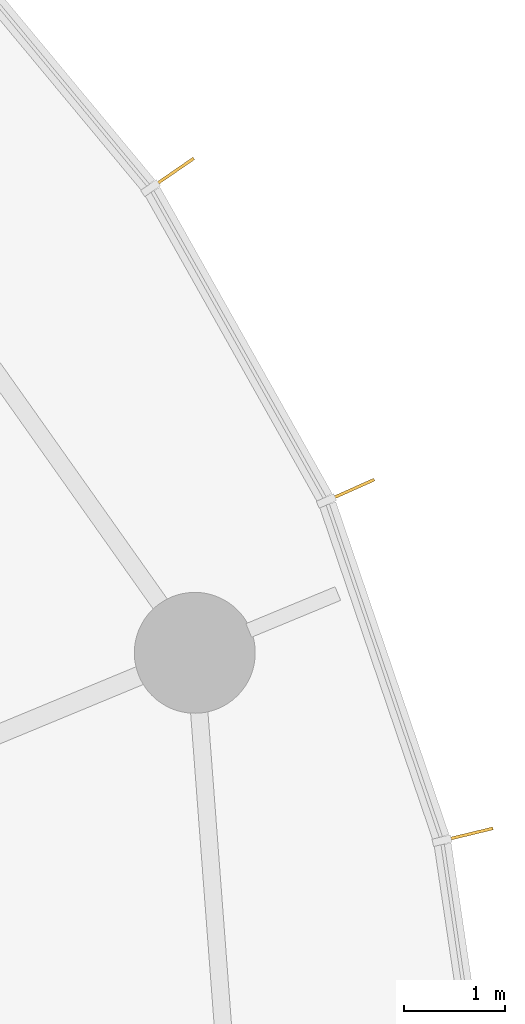
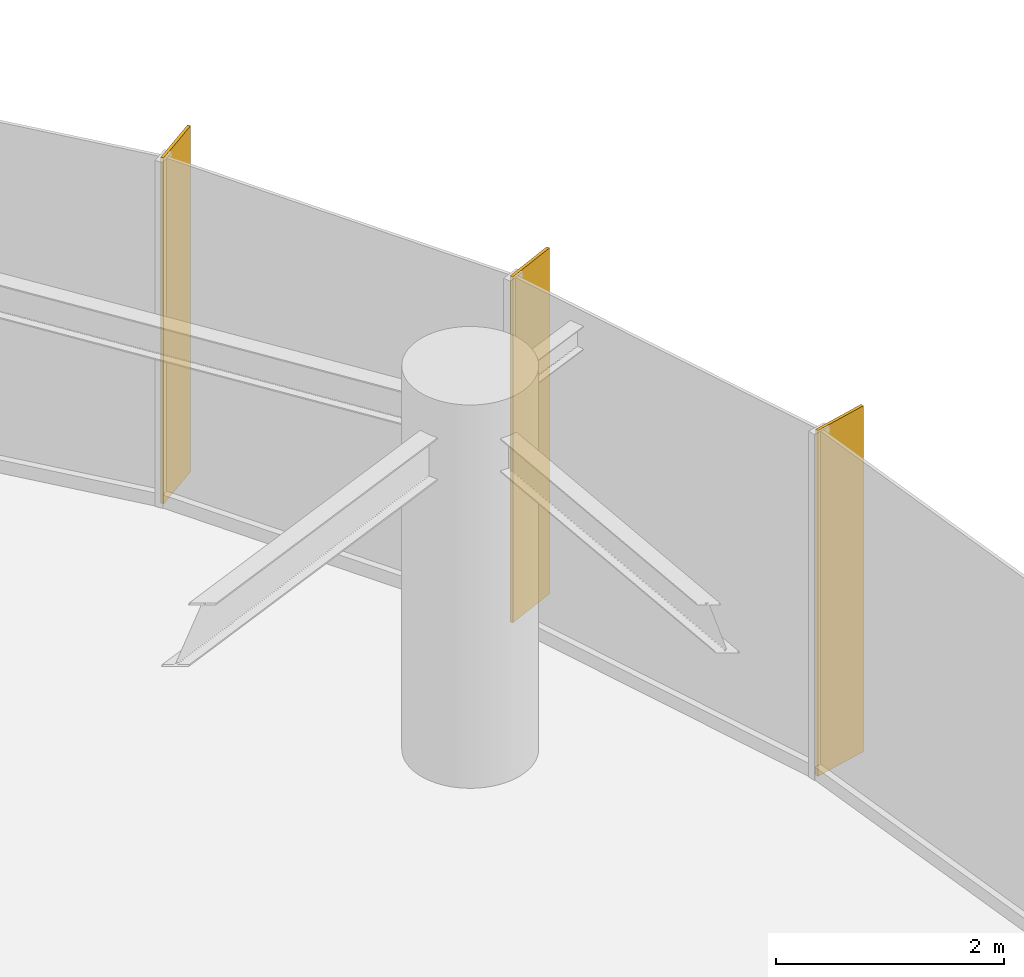
# One storey, part 17 of 17: 3 shading devices.
"""IFC4 building model written with IfcOpenShell, lengths in metres."""

import ifcopenshell
import ifcopenshell.guid

model = None  # the IFC model being written
_history = None  # IfcOwnerHistory: only IFC2X3 demands one
_inside = {}  # id of a spatial element -> (the spatial element, [elements in it])
_under = {}  # id of a project, library or spatial element -> (it, [spatial elements below it])
_declared = {}  # id of a project -> (the project, [libraries it declares])
_typed = {}  # id of a type object -> (the type object, [elements of that type])
_made_of = {}  # id of a material, layer set ... -> (it, [elements and type objects made of it])


def new_model(schema):
    """Start an empty IFC model of exactly this schema.

    Asked for "IFC4X3", IfcOpenShell would pick the latest addendum, in which some entities
    have other attributes; the version numbers below select the first issue.
    IFC2X3 requires an IfcOwnerHistory on every rooted entity: one is made here for all.
    """
    global model, _history
    if schema == "IFC4X3":
        model = ifcopenshell.file(schema_version=(4, 3, 0, 0))
    else:
        model = ifcopenshell.file(schema=schema)
    _inside.clear()
    _under.clear()
    _declared.clear()
    _typed.clear()
    _made_of.clear()
    _history = None
    if model.schema == "IFC2X3":
        org = make("IfcOrganization", Name="unknown")
        user = make(
            "IfcPersonAndOrganization",
            ThePerson=make("IfcPerson", FamilyName="unknown"),
            TheOrganization=org,
        )
        app = make(
            "IfcApplication",
            ApplicationDeveloper=org,
            Version="unknown",
            ApplicationFullName="unknown",
            ApplicationIdentifier="unknown",
        )
        _history = make(
            "IfcOwnerHistory",
            OwningUser=user,
            OwningApplication=app,
            ChangeAction="ADDED",
            CreationDate=0,
        )
    return model


def make(cls, **values):
    """One entity of the class cls with the attributes given. An attribute that is None is left unset."""
    return model.create_entity(
        cls, **{name: value for name, value in values.items() if value is not None}
    )


def rooted(cls, **values):
    """An entity with a GlobalId (a new one), such as an element, a storey or a relation."""
    return make(cls, GlobalId=ifcopenshell.guid.new(), OwnerHistory=_history, **values)


def si_unit(unit_type, name, prefix=None):
    """IfcSIUnit, for example si_unit("LENGTHUNIT", "METRE", prefix="MILLI")."""
    return make("IfcSIUnit", UnitType=unit_type, Prefix=prefix, Name=name)


def assignment(units):
    """IfcUnitAssignment: the units of a project."""
    return None if units is None else make("IfcUnitAssignment", Units=units)


def point(xyz):
    """IfcCartesianPoint."""
    return None if xyz is None else make("IfcCartesianPoint", Coordinates=xyz)


def direction(xyz):
    """IfcDirection."""
    return None if xyz is None else make("IfcDirection", DirectionRatios=xyz)


def frame(location, z_axis=None, x_axis=None):
    """IfcAxis2Placement3D, a coordinate frame: its origin and axes. An axis left out is left unset."""
    return make(
        "IfcAxis2Placement3D",
        Location=point(location),
        Axis=direction(z_axis),
        RefDirection=direction(x_axis),
    )


def frame_2d(location, x_axis=None):
    """IfcAxis2Placement2D, a coordinate frame in the plane: its origin and x axis."""
    return make(
        "IfcAxis2Placement2D", Location=point(location), RefDirection=direction(x_axis)
    )


def origin():
    """The frame at (0, 0, 0) with its axes left unset."""
    return frame((0.0, 0.0, 0.0))


def origin_2d():
    """The frame at (0, 0) in the plane with its x axis left unset."""
    return frame_2d((0.0, 0.0))


def place(relative_to, where):
    """IfcLocalPlacement: puts the frame where relative to a parent placement (None: the world)."""
    return make(
        "IfcLocalPlacement", PlacementRelTo=relative_to, RelativePlacement=where
    )


def context(
    kind, dimensions, precision=None, world=None, true_north=None, identifier=None
):
    """IfcGeometricRepresentationContext, for example the 3D "Model" context."""
    return make(
        "IfcGeometricRepresentationContext",
        ContextIdentifier=identifier,
        ContextType=kind,
        CoordinateSpaceDimension=dimensions,
        Precision=precision,
        WorldCoordinateSystem=world,
        TrueNorth=true_north,
    )


def subcontext(parent, identifier, kind, view, scale=None):
    """IfcGeometricRepresentationSubContext, for example "Body" below "Model"."""
    return make(
        "IfcGeometricRepresentationSubContext",
        ContextIdentifier=identifier,
        ContextType=kind,
        ParentContext=parent,
        TargetScale=scale,
        TargetView=view,
    )


def project(units=None, contexts=None):
    """IfcProject with its units and contexts."""
    return rooted(
        "IfcProject",
        Name="project",
        RepresentationContexts=contexts,
        UnitsInContext=assignment(units),
    )


def spatial(cls, under=None, at=None, **own):
    """A site, building, storey or space (cls), placed at a placement, below another one or the project."""
    s = rooted(cls, ObjectPlacement=at, **own)
    if under is not None:
        _under.setdefault(under.id(), (under, []))[1].append(s)
    return s


def profile(cls, at=None, kind="AREA", **sizes):
    """A parametric profile (cls). Its sizes go by their IFC names, for example OverallWidth=200.0."""
    return make(cls, ProfileType=kind, Position=at, **sizes)


def rectangle(**sizes):
    """IfcRectangleProfileDef."""
    return profile("IfcRectangleProfileDef", **sizes)


def extrude(swept, where, along, depth):
    """IfcExtrudedAreaSolid: the profile swept, set in the frame where, extruded along a direction by depth."""
    return make(
        "IfcExtrudedAreaSolid",
        SweptArea=swept,
        Position=where,
        ExtrudedDirection=direction(along),
        Depth=depth,
    )


def shape(context_of_items, identifier, shape_type, items):
    """IfcShapeRepresentation: the items that make up one representation, for example the "Body"."""
    return make(
        "IfcShapeRepresentation",
        ContextOfItems=context_of_items,
        RepresentationIdentifier=identifier,
        RepresentationType=shape_type,
        Items=items,
    )


def source(mapping_origin, context_of_items, identifier, shape_type, items):
    """IfcRepresentationMap: a shape defined once, which mapped items show again and again."""
    return make(
        "IfcRepresentationMap",
        MappingOrigin=mapping_origin,
        MappedRepresentation=shape(context_of_items, identifier, shape_type, items),
    )


def transform(
    local_origin,
    x_axis=None,
    y_axis=None,
    z_axis=None,
    scale=None,
    scale2=None,
    scale3=None,
    uniform=True,
):
    """IfcCartesianTransformationOperator3D, or its non-uniform kind. x_axis, y_axis, z_axis: its Axis1, 2, 3."""
    if uniform:
        return make(
            "IfcCartesianTransformationOperator3D",
            Axis1=direction(x_axis),
            Axis2=direction(y_axis),
            LocalOrigin=point(local_origin),
            Scale=scale,
            Axis3=direction(z_axis),
        )
    return make(
        "IfcCartesianTransformationOperator3DnonUniform",
        Axis1=direction(x_axis),
        Axis2=direction(y_axis),
        LocalOrigin=point(local_origin),
        Scale=scale,
        Axis3=direction(z_axis),
        Scale2=scale2,
        Scale3=scale3,
    )


def mapped(mapping_source, mapping_target):
    """IfcMappedItem: shows the shape of a source again, moved by a transform."""
    return make(
        "IfcMappedItem", MappingSource=mapping_source, MappingTarget=mapping_target
    )


def material(Name=None, Category=None):
    """IfcMaterial."""
    return make("IfcMaterial", Name=Name, Category=Category)


def material_profile(
    of_material, cross_section, Name=None, Category=None, Priority=None
):
    """IfcMaterialProfile: a cross section and its material."""
    return make(
        "IfcMaterialProfile",
        Name=Name,
        Material=of_material,
        Profile=cross_section,
        Priority=Priority,
        Category=Category,
    )


def profile_set(profiles, Name=None, composite=None):
    """IfcMaterialProfileSet."""
    return make(
        "IfcMaterialProfileSet",
        Name=Name,
        MaterialProfiles=profiles,
        CompositeProfile=composite,
    )


def made_of(thing, what):
    """Note that an element or type object is made of a material, layer set ...; save() writes the relation."""
    if what is not None:
        _made_of.setdefault(what.id(), (what, []))[1].append(thing)
    return thing


def type_object(cls, material=None, **own):
    """A type object (cls), such as IfcWallType, which elements share."""
    return made_of(rooted(cls, **own), material)


def element(
    cls,
    number,
    at=None,
    inside=None,
    cuts=None,
    type_object=None,
    material=None,
    context=None,
    identifier="Body",
    shape_type=None,
    held_by="IfcProductDefinitionShape",
    body=None,
    shapes=None,
    **own,
):
    """One element of the class cls, such as IfcWall. Its Tag is "e" and its number.

    at: its placement. inside: the storey or other place that contains it. cuts: it is an
    opening in that element (IfcRelVoidsElement). A single representation is given by context,
    identifier, shape_type and body (its items); several are given by shapes. held_by: the class
    of the entity that holds the representations. save() writes the other relations.
    """
    e = rooted(cls, Tag="e%d" % number, ObjectPlacement=at, **own)
    if body is not None:
        shapes = [shape(context, identifier, shape_type, body)]
    if shapes is not None:
        e.Representation = make(held_by, Representations=shapes)
    if inside is not None:
        _inside.setdefault(inside.id(), (inside, []))[1].append(e)
    if cuts is not None:
        rooted(
            "IfcRelVoidsElement", RelatingBuildingElement=cuts, RelatedOpeningElement=e
        )
    if type_object is not None:
        _typed.setdefault(type_object.id(), (type_object, []))[1].append(e)
    return made_of(e, material)


def aggregate(whole, parts):
    """IfcRelAggregates: a whole, such as a stair, and the parts it consists of."""
    return rooted("IfcRelAggregates", RelatingObject=whole, RelatedObjects=parts)


def save(model, path):
    """Write the relations noted so far, then the file.

    IfcRelAggregates (storeys below a building ...), IfcRelContainedInSpatialStructure (elements
    in a storey), IfcRelDefinesByType, IfcRelAssociatesMaterial and IfcRelDeclares: one each for
    every whole, place, type object, material and project.
    """
    for whole, parts in _under.values():
        aggregate(whole, parts)
    for where, things in _inside.values():
        rooted(
            "IfcRelContainedInSpatialStructure",
            RelatedElements=things,
            RelatingStructure=where,
        )
    for kind, things in _typed.values():
        rooted("IfcRelDefinesByType", RelatedObjects=things, RelatingType=kind)
    for what, things in _made_of.values():
        rooted("IfcRelAssociatesMaterial", RelatedObjects=things, RelatingMaterial=what)
    for by, libraries in _declared.values():
        rooted("IfcRelDeclares", RelatingContext=by, RelatedDefinitions=libraries)
    model.write(path)


model = new_model("IFC4")

# Units and contexts
model_context = context("Model", 3, precision=1e-05, world=origin(), true_north=direction((0.0, 1.0)))
body_context = subcontext(model_context, "Body", "Model", "MODEL_VIEW")
ifc_project = project(units=[si_unit("LENGTHUNIT", "METRE"), si_unit("AREAUNIT", "SQUARE_METRE"), si_unit("VOLUMEUNIT", "CUBIC_METRE"), si_unit("PLANEANGLEUNIT", "RADIAN"), si_unit("MASSUNIT", "GRAM", prefix="KILO")], contexts=[model_context])

# Site, building, storey
site_placement = place(None, origin())
site = spatial("IfcSite", under=ifc_project, at=site_placement, CompositionType="ELEMENT")
building_placement = place(site_placement, origin())
building = spatial("IfcBuilding", under=site, at=building_placement, Name="Spindrift Exchange Tower", CompositionType="ELEMENT")
storey_placement = place(building_placement, frame((0.0, 0.0, 92.10009765625)))
storey = spatial("IfcBuildingStorey", under=building, at=storey_placement, Name="L21", CompositionType="ELEMENT", Elevation=92.10009765625)

# Shading devices
ifc_material = material(Name="Bronze anodised aluminium", Category="aluminium")
ifc_material_profile = material_profile(ifc_material, rectangle(XDim=0.030029296875, YDim=0.550048828125, at=origin_2d()), Name="WIND FIN 30X550")
ifc_profile_set = profile_set([ifc_material_profile], Name="Bronze anodised aluminium")
shading_device_type = type_object("IfcShadingDeviceType", Name="WIND FIN 30X550", PredefinedType="USERDEFINED", material=ifc_profile_set)
shared_shape = source(origin(), body_context, "Body", "SweptSolid", [
    extrude(rectangle(XDim=0.030029296875, YDim=0.550048828125, at=origin_2d()), origin(), (0.0, 0.0, 1.0), 3.699951171875),
])
for number, where, z_axis, x_axis, name in (
    (1, (81.98681640625, 61.39453125, 0.0), (0.0, 0.0, 1.0), (-0.407850852003, 0.913048565258, 0.0), "L21 wind fin 2"),
    (2, (80.21875, 64.5390625, 0.0), (0.0, 0.0, 1.0), (-0.56677584142, 0.823872044424, 0.0), "L21 wind fin 3"),
    (3, (83.148681640625, 57.9794921875, 0.0), (0.0, 0.0, 1.0), (-0.235364334302, 0.971907212721, 0.0), "L21 wind fin 4"),
):
    element("IfcShadingDevice", number, at=place(storey_placement, frame(where, z_axis=z_axis, x_axis=x_axis)), inside=storey, type_object=shading_device_type, Name=name, ObjectType="FIN", PredefinedType="USERDEFINED", context=body_context, shape_type="MappedRepresentation", body=[
        mapped(shared_shape, transform((0.0, 0.0, 0.0), scale=1.0)),
    ])

save(model, "model.ifc")
